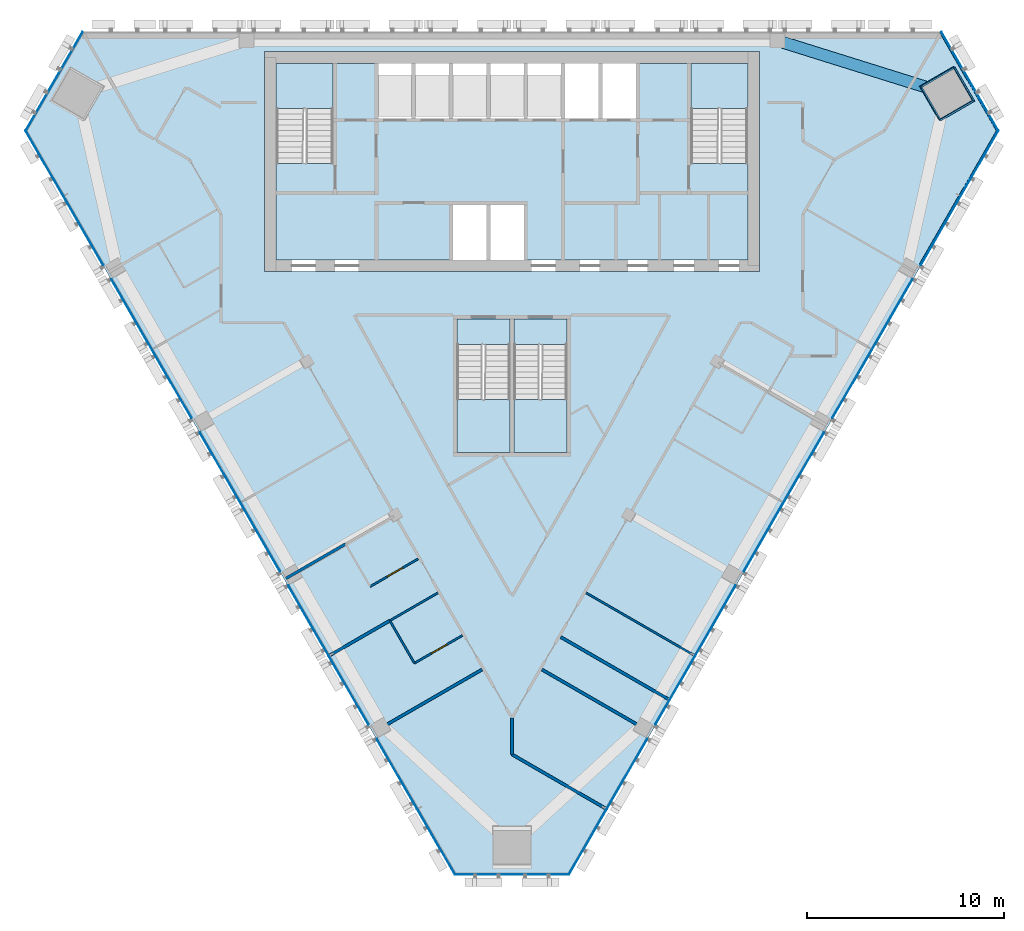
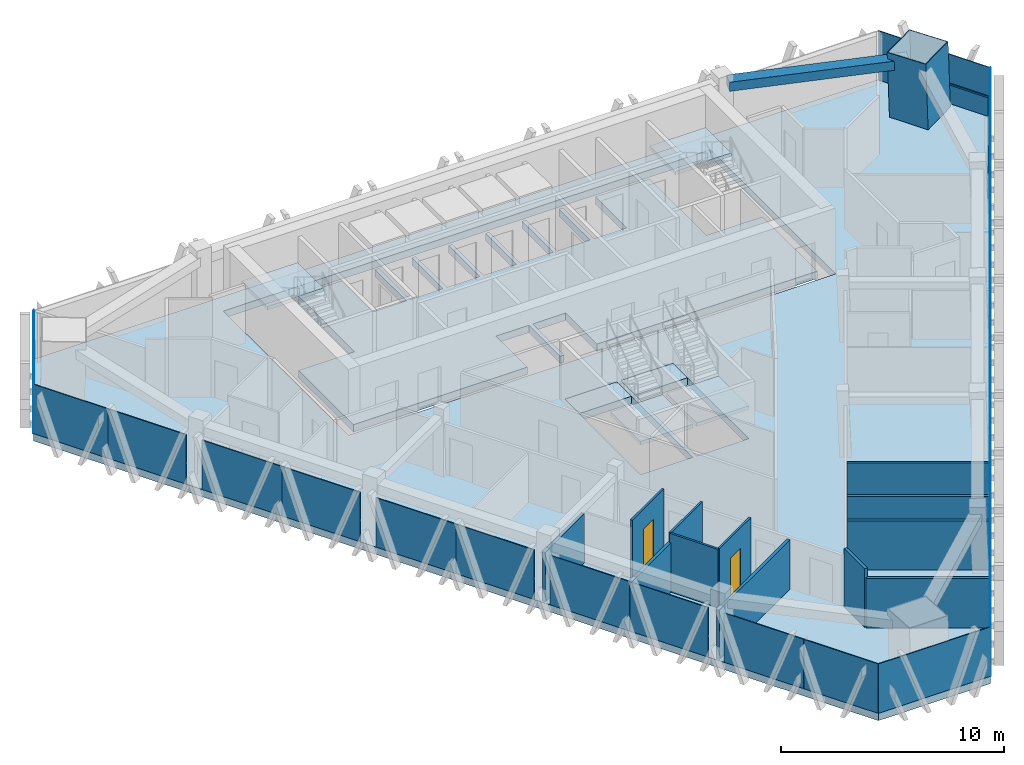
# One storey, part 7 of 14: 23 plates, 12 walls, 8 slabs, 3 members, 2 doors, 1 beam, 2 openings, 9 elements without a shape of their own.
"""IFC4 building model written with IfcOpenShell, lengths in metres."""

from ifc_helpers import new_model, si_unit, direction, frame, frame_2d, origin, origin_2d, place, context, subcontext, project, spatial, polyline, rectangle, hollow_rectangle, outline, extrude, material, layer, layer_set, material_profile, profile_set, type_object, element, fill, aggregate, save


model = new_model("IFC4")

# Units and contexts
model_context = context("Model", 3, precision=1e-05, world=origin(), true_north=direction((0.0, 1.0)))
body_context = subcontext(model_context, "Body", "Model", "MODEL_VIEW")
ifc_project = project(units=[si_unit("LENGTHUNIT", "METRE"), si_unit("AREAUNIT", "SQUARE_METRE"), si_unit("VOLUMEUNIT", "CUBIC_METRE"), si_unit("PLANEANGLEUNIT", "RADIAN"), si_unit("MASSUNIT", "GRAM", prefix="KILO")], contexts=[model_context])

# Site, building, storey
site_placement = place(None, origin())
site = spatial("IfcSite", under=ifc_project, at=site_placement, CompositionType="ELEMENT")
building_placement = place(site_placement, origin())
building = spatial("IfcBuilding", under=site, at=building_placement, Name="Altiplano Prism Tower", CompositionType="ELEMENT")
storey_placement = place(building_placement, frame((0.0, 0.0, 223.0)))
storey = spatial("IfcBuildingStorey", under=building, at=storey_placement, Name="L57", CompositionType="ELEMENT", Elevation=223.0)

# Curtain wall, member
ifc_material_1 = material(Name="Aluminium and glass", Category="aluminium")
ifc_layer_1 = layer(ifc_material_1, 0.280029296875)
ifc_layer_set_1 = layer_set([ifc_layer_1], Name="Aluminium and glass")
curtain_wall_type = type_object("IfcCurtainWallType", Name="CW1 typical co-living unitised curtain wall", PredefinedType="NOTDEFINED", material=ifc_layer_set_1)
curtain_wall_1_placement = place(storey_placement, origin())
curtain_wall_1 = element("IfcCurtainWall", 1, at=curtain_wall_1_placement, inside=storey, type_object=curtain_wall_type, Name="CW1 curtain wall south-east face L57", PredefinedType="NOTDEFINED")
ifc_material_2 = material(Name="Aluminium", Category="aluminium")
ifc_material_profile_1 = material_profile(ifc_material_2, rectangle(XDim=0.06005859375, YDim=0.080078125, at=origin_2d()), Name="CW1 transom 80 x 60")
ifc_profile_set_1 = profile_set([ifc_material_profile_1], Name="Aluminium")
member_type_1 = type_object("IfcMemberType", Name="CW1 transom 80 x 60", PredefinedType="USERDEFINED", material=ifc_profile_set_1)
member_1_placement = place(storey_placement, frame((105.748291015625, 93.1630859375, 1.10009765625), z_axis=(0.499991781437, 0.866030148722, 0.0), x_axis=(-0.866030148722, 0.499991781437, 0.0)))
member_1 = element("IfcMember", 2, at=member_1_placement, type_object=member_type_1, Name="CW1 transom", ObjectType="TRANSOM", PredefinedType="USERDEFINED", context=body_context, shape_type="SweptSolid", body=[
    extrude(rectangle(XDim=0.06005859375, YDim=0.080078125, at=origin_2d()), origin(), (0.0, 0.0, 1.0), 7.899169921875),
])

curtain_wall_2_placement = place(storey_placement, origin())
curtain_wall_2 = element("IfcCurtainWall", 3, at=curtain_wall_2_placement, inside=storey, type_object=curtain_wall_type, Name="CW1 curtain wall north-east chamfer L57", PredefinedType="NOTDEFINED")
member_2_placement = place(storey_placement, frame((109.69775390625, 99.933837890625, 1.10009765625), z_axis=(-0.499998917442, 0.866026028799, 0.0), x_axis=(-0.866026028799, -0.499998917442, 0.0)))
member_2 = element("IfcMember", 4, at=member_2_placement, type_object=member_type_1, Name="CW1 transom", ObjectType="TRANSOM", PredefinedType="USERDEFINED", context=body_context, shape_type="SweptSolid", body=[
    extrude(rectangle(XDim=0.06005859375, YDim=0.080078125, at=origin_2d()), origin(), (0.0, 0.0, 1.0), 5.8095703125),
])

# Beam
ifc_material_3 = material(Name="Concrete C60/75", Category="concrete")
ifc_material_profile_2 = material_profile(ifc_material_3, rectangle(XDim=0.60009765625, YDim=0.5, at=origin_2d()), Name="Edge beam 600x500")
ifc_profile_set_2 = profile_set([ifc_material_profile_2], Name="Concrete C60/75")
beam_type = type_object("IfcBeamType", Name="Edge beam 600x500", PredefinedType="SPANDREL", material=ifc_profile_set_2)
beam_placement = place(storey_placement, frame((106.6484375, 102.002197265625, 2.949951171875), z_axis=(-0.954434236372, 0.298421327055, 0.0), x_axis=(-0.298421327055, -0.954434236372, 0.0)))
element("IfcBeam", 5, at=beam_placement, inside=storey, type_object=beam_type, Name="Edge beam M2-P01 L58", PredefinedType="SPANDREL", context=body_context, shape_type="SweptSolid", body=[
    extrude(rectangle(XDim=0.60009765625, YDim=0.5, at=origin_2d()), origin(), (0.0, 0.0, 1.0), 8.264404296875),
])

# Member
ifc_material_4 = material(Name="Steel S460", Category="steel")
ifc_material_profile_3 = material_profile(ifc_material_4, hollow_rectangle(XDim=2.0, YDim=2.0, WallThickness=0.0400390625, at=origin_2d()), Name="Mega column tube 2000")
ifc_profile_set_3 = profile_set([ifc_material_profile_3], Name="Steel S460")
member_type_2 = type_object("IfcMemberType", Name="Mega column tube 2000", PredefinedType="POST", material=ifc_profile_set_3)
member_3_placement = place(storey_placement, frame((107.18017578125, 101.83447265625, 0.0), z_axis=(-0.028401814599, 0.009218727412, 0.999554076572), x_axis=(0.500752366939, -0.865305621507, 0.022209196139)))
element("IfcMember", 6, at=member_3_placement, inside=storey, type_object=member_type_2, Name="Mega column tube M2 L57", PredefinedType="POST", context=body_context, shape_type="SweptSolid", body=[
    extrude(hollow_rectangle(XDim=2.0, YDim=2.0, WallThickness=0.0400390625, at=origin_2d()), origin(), (0.0, 0.0, 1.0), 3.601806640625),
])

# Curtain wall, plate
curtain_wall_3_placement = place(storey_placement, origin())
curtain_wall_3 = element("IfcCurtainWall", 7, at=curtain_wall_3_placement, inside=storey, type_object=curtain_wall_type, Name="CW1 curtain wall north-west chamfer L57", PredefinedType="NOTDEFINED")
ifc_material_5 = material(Name="Clear glass", Category="glass")
ifc_layer_2 = layer(ifc_material_5, 0.0400390625)
ifc_layer_set_2 = layer_set([ifc_layer_2], Name="Clear glass")
plate_type = type_object("IfcPlateType", Name="CW1 insulated glass unit 40", PredefinedType="CURTAIN_PANEL", material=ifc_layer_set_2)
plate_1_placement = place(storey_placement, frame((61.711181640625, 102.474365234375, 0.0), z_axis=(0.0, 0.0, 1.0), x_axis=(-0.500000067745, -0.866025364672, 0.0)))
plate_1 = element("IfcPlate", 8, at=plate_1_placement, type_object=plate_type, Name="CW1 panel", PredefinedType="CURTAIN_PANEL", context=body_context, shape_type="SweptSolid", body=[
    extrude(rectangle(XDim=5.79931640625, YDim=0.0400390625, at=origin_2d()), origin(), (0.0, 0.0, 1.0), 2.699951171875),
])
aggregate(curtain_wall_3, [plate_1])

# Curtain wall, plates
curtain_wall_4_placement = place(storey_placement, origin())
curtain_wall_4 = element("IfcCurtainWall", 9, at=curtain_wall_4_placement, inside=storey, type_object=curtain_wall_type, Name="CW1 curtain wall south-west face L57", PredefinedType="NOTDEFINED")
plate_2_placement = place(storey_placement, frame((61.222412109375, 98.310302734375, 0.0), z_axis=(0.0, 0.0, 1.0), x_axis=(0.499999991717, -0.866025408567, 0.0)))
plate_2 = element("IfcPlate", 10, at=plate_2_placement, type_object=plate_type, Name="CW1 panel", PredefinedType="CURTAIN_PANEL", context=body_context, shape_type="SweptSolid", body=[
    extrude(rectangle(XDim=3.84375, YDim=0.0400390625, at=origin_2d()), origin(), (0.0, 0.0, 1.0), 2.699951171875),
])
plate_3_placement = place(storey_placement, frame((63.197021484375, 94.889892578125, 0.0), z_axis=(0.0, 0.0, 1.0), x_axis=(0.499999991717, -0.866025408567, 0.0)))
plate_3 = element("IfcPlate", 11, at=plate_3_placement, type_object=plate_type, Name="CW1 panel", PredefinedType="CURTAIN_PANEL", context=body_context, shape_type="SweptSolid", body=[
    extrude(rectangle(XDim=4.035400390625, YDim=0.0400390625, at=origin_2d()), origin(), (0.0, 0.0, 1.0), 2.699951171875),
])
plate_4_placement = place(storey_placement, frame((65.65478515625, 90.63330078125, 0.0), z_axis=(0.0, 0.0, 1.0), x_axis=(0.499999991717, -0.866025408567, 0.0)))
plate_4 = element("IfcPlate", 12, at=plate_4_placement, type_object=plate_type, Name="CW1 panel", PredefinedType="CURTAIN_PANEL", context=body_context, shape_type="SweptSolid", body=[
    extrude(rectangle(XDim=4.114501953125, YDim=0.0400390625, at=origin_2d()), origin(), (0.0, 0.0, 1.0), 2.699951171875),
])
plate_5_placement = place(storey_placement, frame((67.697021484375, 87.095458984375, 0.0), z_axis=(0.0, 0.0, 1.0), x_axis=(0.499999991717, -0.866025408567, 0.0)))
plate_5 = element("IfcPlate", 13, at=plate_5_placement, type_object=plate_type, Name="CW1 panel", PredefinedType="CURTAIN_PANEL", context=body_context, shape_type="SweptSolid", body=[
    extrude(rectangle(XDim=4.035400390625, YDim=0.0400390625, at=origin_2d()), origin(), (0.0, 0.0, 1.0), 2.699951171875),
])
plate_6_placement = place(storey_placement, frame((70.15478515625, 82.839111328125, 0.0), z_axis=(0.0, 0.0, 1.0), x_axis=(0.499999991717, -0.866025408567, 0.0)))
plate_6 = element("IfcPlate", 14, at=plate_6_placement, type_object=plate_type, Name="CW1 panel", PredefinedType="CURTAIN_PANEL", context=body_context, shape_type="SweptSolid", body=[
    extrude(rectangle(XDim=4.114501953125, YDim=0.0400390625, at=origin_2d()), origin(), (0.0, 0.0, 1.0), 2.699951171875),
])
plate_7_placement = place(storey_placement, frame((72.197021484375, 79.30126953125, 0.0), z_axis=(0.0, 0.0, 1.0), x_axis=(0.499999991717, -0.866025408567, 0.0)))
plate_7 = element("IfcPlate", 15, at=plate_7_placement, type_object=plate_type, Name="CW1 panel", PredefinedType="CURTAIN_PANEL", context=body_context, shape_type="SweptSolid", body=[
    extrude(rectangle(XDim=4.035400390625, YDim=0.0400390625, at=origin_2d()), origin(), (0.0, 0.0, 1.0), 2.699951171875),
])
plate_8_placement = place(storey_placement, frame((74.65478515625, 75.044677734375, 0.0), z_axis=(0.0, 0.0, 1.0), x_axis=(0.499999991717, -0.866025408567, 0.0)))
plate_8 = element("IfcPlate", 16, at=plate_8_placement, type_object=plate_type, Name="CW1 panel", PredefinedType="CURTAIN_PANEL", context=body_context, shape_type="SweptSolid", body=[
    extrude(rectangle(XDim=4.114501953125, YDim=0.0400390625, at=origin_2d()), origin(), (0.0, 0.0, 1.0), 2.699951171875),
])
plate_9_placement = place(storey_placement, frame((76.697021484375, 71.507080078125, 0.0), z_axis=(0.0, 0.0, 1.0), x_axis=(0.499999991717, -0.866025408567, 0.0)))
plate_9 = element("IfcPlate", 17, at=plate_9_placement, type_object=plate_type, Name="CW1 panel", PredefinedType="CURTAIN_PANEL", context=body_context, shape_type="SweptSolid", body=[
    extrude(rectangle(XDim=4.035400390625, YDim=0.0400390625, at=origin_2d()), origin(), (0.0, 0.0, 1.0), 2.699951171875),
])
plate_10_placement = place(storey_placement, frame((79.15478515625, 67.25048828125, 0.0), z_axis=(0.0, 0.0, 1.0), x_axis=(0.499999991717, -0.866025408567, 0.0)))
plate_10 = element("IfcPlate", 18, at=plate_10_placement, type_object=plate_type, Name="CW1 panel", PredefinedType="CURTAIN_PANEL", context=body_context, shape_type="SweptSolid", body=[
    extrude(rectangle(XDim=4.114501953125, YDim=0.0400390625, at=origin_2d()), origin(), (0.0, 0.0, 1.0), 2.699951171875),
])
plate_11_placement = place(storey_placement, frame((81.149169921875, 63.7958984375, 0.0), z_axis=(0.0, 0.0, 1.0), x_axis=(0.499999991717, -0.866025408567, 0.0)))
plate_11 = element("IfcPlate", 19, at=plate_11_placement, type_object=plate_type, Name="CW1 panel", PredefinedType="CURTAIN_PANEL", context=body_context, shape_type="SweptSolid", body=[
    extrude(rectangle(XDim=3.84375, YDim=0.0400390625, at=origin_2d()), origin(), (0.0, 0.0, 1.0), 2.699951171875),
])
aggregate(curtain_wall_4, [plate_2, plate_3, plate_4, plate_5, plate_6, plate_7, plate_8, plate_9, plate_10, plate_11])

# Curtain wall, plate
curtain_wall_5_placement = place(storey_placement, origin())
curtain_wall_5 = element("IfcCurtainWall", 20, at=curtain_wall_5_placement, inside=storey, type_object=curtain_wall_type, Name="CW1 curtain wall south chamfer L57", PredefinedType="NOTDEFINED")
plate_12_placement = place(storey_placement, frame((85.0, 62.13720703125, 0.0), z_axis=(0.0, 0.0, 1.0), x_axis=(1.0, 0.0, 0.0)))
plate_12 = element("IfcPlate", 21, at=plate_12_placement, type_object=plate_type, Name="CW1 panel", PredefinedType="CURTAIN_PANEL", context=body_context, shape_type="SweptSolid", body=[
    extrude(rectangle(XDim=5.79931640625, YDim=0.0400390625, at=origin_2d()), origin(), (0.0, 0.0, 1.0), 2.699951171875),
])
aggregate(curtain_wall_5, [plate_12])

# Plate
plate_13_placement = place(storey_placement, frame((88.850830078125, 63.7958984375, 0.0), z_axis=(0.0, 0.0, 1.0), x_axis=(0.499999991717, 0.866025408567, 0.0)))
plate_13 = element("IfcPlate", 22, at=plate_13_placement, type_object=plate_type, Name="CW1 panel", PredefinedType="CURTAIN_PANEL", context=body_context, shape_type="SweptSolid", body=[
    extrude(rectangle(XDim=3.84375, YDim=0.0400390625, at=origin_2d()), origin(), (0.0, 0.0, 1.0), 2.699951171875),
])

plate_14_placement = place(storey_placement, frame((90.84521484375, 67.25048828125, 0.0), z_axis=(0.0, 0.0, 1.0), x_axis=(0.499999991717, 0.866025408567, 0.0)))
plate_14 = element("IfcPlate", 23, at=plate_14_placement, type_object=plate_type, Name="CW1 panel", PredefinedType="CURTAIN_PANEL", context=body_context, shape_type="SweptSolid", body=[
    extrude(rectangle(XDim=4.114501953125, YDim=0.0400390625, at=origin_2d()), origin(), (0.0, 0.0, 1.0), 2.699951171875),
])

plate_15_placement = place(storey_placement, frame((93.302978515625, 71.507080078125, 0.0), z_axis=(0.0, 0.0, 1.0), x_axis=(0.499999991717, 0.866025408567, 0.0)))
plate_15 = element("IfcPlate", 24, at=plate_15_placement, type_object=plate_type, Name="CW1 panel", PredefinedType="CURTAIN_PANEL", context=body_context, shape_type="SweptSolid", body=[
    extrude(rectangle(XDim=4.035400390625, YDim=0.0400390625, at=origin_2d()), origin(), (0.0, 0.0, 1.0), 2.699951171875),
])

plate_16_placement = place(storey_placement, frame((95.34521484375, 75.044677734375, 0.0), z_axis=(0.0, 0.0, 1.0), x_axis=(0.499999991717, 0.866025408567, 0.0)))
plate_16 = element("IfcPlate", 25, at=plate_16_placement, type_object=plate_type, Name="CW1 panel", PredefinedType="CURTAIN_PANEL", context=body_context, shape_type="SweptSolid", body=[
    extrude(rectangle(XDim=4.114501953125, YDim=0.0400390625, at=origin_2d()), origin(), (0.0, 0.0, 1.0), 2.699951171875),
])

plate_17_placement = place(storey_placement, frame((97.802978515625, 79.30126953125, 0.0), z_axis=(0.0, 0.0, 1.0), x_axis=(0.499999991717, 0.866025408567, 0.0)))
plate_17 = element("IfcPlate", 26, at=plate_17_placement, type_object=plate_type, Name="CW1 panel", PredefinedType="CURTAIN_PANEL", context=body_context, shape_type="SweptSolid", body=[
    extrude(rectangle(XDim=4.035400390625, YDim=0.0400390625, at=origin_2d()), origin(), (0.0, 0.0, 1.0), 2.699951171875),
])

plate_18_placement = place(storey_placement, frame((99.84521484375, 82.839111328125, 0.0), z_axis=(0.0, 0.0, 1.0), x_axis=(0.499999991717, 0.866025408567, 0.0)))
plate_18 = element("IfcPlate", 27, at=plate_18_placement, type_object=plate_type, Name="CW1 panel", PredefinedType="CURTAIN_PANEL", context=body_context, shape_type="SweptSolid", body=[
    extrude(rectangle(XDim=4.114501953125, YDim=0.0400390625, at=origin_2d()), origin(), (0.0, 0.0, 1.0), 2.699951171875),
])

plate_19_placement = place(storey_placement, frame((102.302978515625, 87.095458984375, 0.0), z_axis=(0.0, 0.0, 1.0), x_axis=(0.499999991717, 0.866025408567, 0.0)))
plate_19 = element("IfcPlate", 28, at=plate_19_placement, type_object=plate_type, Name="CW1 panel", PredefinedType="CURTAIN_PANEL", context=body_context, shape_type="SweptSolid", body=[
    extrude(rectangle(XDim=4.035400390625, YDim=0.0400390625, at=origin_2d()), origin(), (0.0, 0.0, 1.0), 2.699951171875),
])

plate_20_placement = place(storey_placement, frame((104.34521484375, 90.63330078125, 0.0), z_axis=(0.0, 0.0, 1.0), x_axis=(0.499999991717, 0.866025408567, 0.0)))
plate_20 = element("IfcPlate", 29, at=plate_20_placement, type_object=plate_type, Name="CW1 panel", PredefinedType="CURTAIN_PANEL", context=body_context, shape_type="SweptSolid", body=[
    extrude(rectangle(XDim=4.114501953125, YDim=0.0400390625, at=origin_2d()), origin(), (0.0, 0.0, 1.0), 2.699951171875),
])

plate_21_placement = place(storey_placement, frame((106.802978515625, 94.889892578125, 0.0), z_axis=(0.0, 0.0, 1.0), x_axis=(0.499999991717, 0.866025408567, 0.0)))
plate_21 = element("IfcPlate", 30, at=plate_21_placement, type_object=plate_type, Name="CW1 panel", PredefinedType="CURTAIN_PANEL", context=body_context, shape_type="SweptSolid", body=[
    extrude(rectangle(XDim=4.035400390625, YDim=0.0400390625, at=origin_2d()), origin(), (0.0, 0.0, 1.0), 2.699951171875),
])

plate_22_placement = place(storey_placement, frame((108.777587890625, 98.310302734375, 0.0), z_axis=(0.0, 0.0, 1.0), x_axis=(0.499999991717, 0.866025408567, 0.0)))
plate_22 = element("IfcPlate", 31, at=plate_22_placement, type_object=plate_type, Name="CW1 panel", PredefinedType="CURTAIN_PANEL", context=body_context, shape_type="SweptSolid", body=[
    extrude(rectangle(XDim=3.84375, YDim=0.0400390625, at=origin_2d()), origin(), (0.0, 0.0, 1.0), 2.699951171875),
])

aggregate(curtain_wall_1, [plate_13, plate_14, plate_15, plate_16, plate_17, plate_18, plate_19, plate_20, member_1, plate_21, plate_22])

plate_23_placement = place(storey_placement, frame((108.288818359375, 102.474365234375, 0.0), z_axis=(0.0, 0.0, 1.0), x_axis=(-0.500000067745, 0.866025364672, 0.0)))
plate_23 = element("IfcPlate", 32, at=plate_23_placement, type_object=plate_type, Name="CW1 panel", PredefinedType="CURTAIN_PANEL", context=body_context, shape_type="SweptSolid", body=[
    extrude(rectangle(XDim=5.79931640625, YDim=0.0400390625, at=origin_2d()), origin(), (0.0, 0.0, 1.0), 2.699951171875),
])

aggregate(curtain_wall_2, [member_2, plate_23])

# Slabs
ifc_material_6 = material(Name="Concrete C40/50", Category="concrete")
ifc_layer_3 = layer(ifc_material_6, 0.39990234375)
ifc_layer_set_3 = layer_set([ifc_layer_3], Name="Concrete C40/50")
slab_type_1 = type_object("IfcSlabType", Name="Core floor slab 400", PredefinedType="FLOOR", material=ifc_layer_set_3)
slab_1_placement = place(storey_placement, frame((0.0, 0.0, -0.39990234375)))
element("IfcSlab", 33, at=slab_1_placement, inside=storey, type_object=slab_type_1, Name="Core floor slab L57", PredefinedType="FLOOR", context=body_context, shape_type="SweptSolid", body=[
    extrude(outline(polyline([(97.0, 98.31005859375), (94.10009765625, 98.31005859375), (94.10009765625, 103.39990234375), (91.300048828125, 103.39990234375), (91.300048828125, 100.60009765625), (89.60009765625, 100.60009765625), (89.60009765625, 103.39990234375), (89.39990234375, 103.39990234375), (89.39990234375, 100.60009765625), (87.699951171875, 100.60009765625), (87.699951171875, 103.39990234375), (87.5, 103.39990234375), (87.5, 100.60009765625), (85.800048828125, 100.60009765625), (85.800048828125, 103.39990234375), (85.60009765625, 103.39990234375), (85.60009765625, 100.60009765625), (83.89990234375, 100.60009765625), (83.89990234375, 103.39990234375), (83.699951171875, 103.39990234375), (83.699951171875, 100.60009765625), (82.0, 100.60009765625), (82.0, 103.39990234375), (81.800048828125, 103.39990234375), (81.800048828125, 100.60009765625), (80.10009765625, 100.60009765625), (80.10009765625, 103.39990234375), (79.89990234375, 103.39990234375), (79.89990234375, 100.60009765625), (78.199951171875, 100.60009765625), (78.199951171875, 103.39990234375), (75.89990234375, 103.39990234375), (75.89990234375, 98.31005859375), (73.0, 98.31005859375), (73.0, 93.39990234375), (82.0, 93.39990234375), (82.0, 96.199951171875), (83.699951171875, 96.199951171875), (83.699951171875, 93.39990234375), (83.89990234375, 93.39990234375), (83.89990234375, 96.199951171875), (85.60009765625, 96.199951171875), (85.60009765625, 93.39990234375), (97.0, 93.39990234375), (97.0, 98.31005859375)])), origin(), (0.0, 0.0, 1.0), 0.39990234375),
])
slab_2_placement = place(storey_placement, frame((0.0, 0.0, -0.39990234375)))
element("IfcSlab", 34, at=slab_2_placement, inside=storey, type_object=slab_type_1, Name="Stair 3A landing slab L57", PredefinedType="FLOOR", context=body_context, shape_type="SweptSolid", body=[
    extrude(outline(polyline([(82.199951171875, 89.096923828125), (84.89990234375, 89.096923828125), (84.89990234375, 90.39990234375), (82.199951171875, 90.39990234375), (82.199951171875, 89.096923828125)])), origin(), (0.0, 0.0, 1.0), 0.39990234375),
])
slab_3_placement = place(storey_placement, frame((0.0, 0.0, -0.39990234375)))
element("IfcSlab", 35, at=slab_3_placement, inside=storey, type_object=slab_type_1, Name="Stair 3B landing slab L57", PredefinedType="FLOOR", context=body_context, shape_type="SweptSolid", body=[
    extrude(outline(polyline([(85.10009765625, 89.096923828125), (87.800048828125, 89.096923828125), (87.800048828125, 90.39990234375), (85.10009765625, 90.39990234375), (85.10009765625, 89.096923828125)])), origin(), (0.0, 0.0, 1.0), 0.39990234375),
])
ifc_layer_4 = layer(ifc_material_6, 0.39990234375)
ifc_layer_set_4 = layer_set([ifc_layer_4], Name="Concrete C40/50")
slab_type_2 = type_object("IfcSlabType", Name="Post-tensioned flat slab 400", PredefinedType="FLOOR", material=ifc_layer_set_4)
slab_4_placement = place(storey_placement, frame((0.0, 0.0, -0.39990234375)))
element("IfcSlab", 36, at=slab_4_placement, inside=storey, type_object=slab_type_2, Name="Floor slab L57", PredefinedType="FLOOR", context=body_context, shape_type="SweptSolid", body=[
    extrude(outline(polyline([(82.09521484375, 62.1171875), (60.24169921875, 99.968994140625), (63.146240234375, 105.0), (106.853759765625, 105.0), (109.75830078125, 99.968994140625), (87.90478515625, 62.1171875), (82.09521484375, 62.1171875)]), holes=[polyline([(72.39990234375, 104.0), (72.39990234375, 92.800048828125), (97.60009765625, 92.800048828125), (97.60009765625, 104.0), (72.39990234375, 104.0)]), polyline([(84.89990234375, 90.39990234375), (82.199951171875, 90.39990234375), (82.199951171875, 83.60009765625), (84.89990234375, 83.60009765625), (84.89990234375, 90.39990234375)]), polyline([(87.800048828125, 83.60009765625), (87.800048828125, 90.39990234375), (85.10009765625, 90.39990234375), (85.10009765625, 83.60009765625), (87.800048828125, 83.60009765625)])]), origin(), (0.0, 0.0, 1.0), 0.39990234375),
])

# Stair, slab
stair_type_1 = type_object("IfcStairType", Name="Exit stair 1400", PredefinedType="HALF_TURN_STAIR", material=ifc_material_6)
stair_1_placement = place(storey_placement, origin())
stair_1 = element("IfcStair", 37, at=stair_1_placement, inside=storey, type_object=stair_type_1, Name="L57 Exit Stair 1", PredefinedType="HALF_TURN_STAIR")
ifc_layer_5 = layer(ifc_material_6, 0.199951171875)
ifc_layer_set_5 = layer_set([ifc_layer_5], Name="Concrete C40/50")
slab_type_3 = type_object("IfcSlabType", Name="Stair landing 200", PredefinedType="LANDING", material=ifc_layer_set_5)
slab_5_placement = place(storey_placement, frame((0.0, 0.0, 1.60009765625)))
slab_5 = element("IfcSlab", 38, at=slab_5_placement, type_object=slab_type_3, Name="ST1 landing 1", PredefinedType="LANDING", context=body_context, shape_type="SweptSolid", body=[
    extrude(outline(polyline([(75.89990234375, 101.096923828125), (75.89990234375, 103.39990234375), (73.0, 103.39990234375), (73.0, 101.096923828125), (75.89990234375, 101.096923828125)])), origin(), (0.0, 0.0, 1.0), 0.199951171875),
])
aggregate(stair_1, [slab_5])

stair_2_placement = place(storey_placement, origin())
stair_2 = element("IfcStair", 39, at=stair_2_placement, inside=storey, type_object=stair_type_1, Name="L57 Exit Stair 2", PredefinedType="HALF_TURN_STAIR")
slab_6_placement = place(storey_placement, frame((0.0, 0.0, 1.60009765625)))
slab_6 = element("IfcSlab", 40, at=slab_6_placement, type_object=slab_type_3, Name="ST2 landing 1", PredefinedType="LANDING", context=body_context, shape_type="SweptSolid", body=[
    extrude(outline(polyline([(97.0, 101.096923828125), (97.0, 103.39990234375), (94.10009765625, 103.39990234375), (94.10009765625, 101.096923828125), (97.0, 101.096923828125)])), origin(), (0.0, 0.0, 1.0), 0.199951171875),
])
aggregate(stair_2, [slab_6])

stair_type_2 = type_object("IfcStairType", Name="Exit stair 1300", PredefinedType="HALF_TURN_STAIR", material=ifc_material_6)
stair_3_placement = place(storey_placement, origin())
stair_3 = element("IfcStair", 41, at=stair_3_placement, inside=storey, type_object=stair_type_2, Name="L57 Exit Stair 3A", PredefinedType="HALF_TURN_STAIR")
slab_7_placement = place(storey_placement, frame((0.0, 0.0, 1.60009765625)))
slab_7 = element("IfcSlab", 42, at=slab_7_placement, type_object=slab_type_3, Name="ST3A landing 1", PredefinedType="LANDING", context=body_context, shape_type="SweptSolid", body=[
    extrude(outline(polyline([(82.199951171875, 86.302978515625), (82.199951171875, 83.60009765625), (84.89990234375, 83.60009765625), (84.89990234375, 86.302978515625), (82.199951171875, 86.302978515625)])), origin(), (0.0, 0.0, 1.0), 0.199951171875),
])
aggregate(stair_3, [slab_7])

stair_4_placement = place(storey_placement, origin())
stair_4 = element("IfcStair", 43, at=stair_4_placement, inside=storey, type_object=stair_type_2, Name="L57 Exit Stair 3B", PredefinedType="HALF_TURN_STAIR")
slab_8_placement = place(storey_placement, frame((0.0, 0.0, 1.60009765625)))
slab_8 = element("IfcSlab", 44, at=slab_8_placement, type_object=slab_type_3, Name="ST3B landing 1", PredefinedType="LANDING", context=body_context, shape_type="SweptSolid", body=[
    extrude(outline(polyline([(85.10009765625, 86.302978515625), (85.10009765625, 83.60009765625), (87.800048828125, 83.60009765625), (87.800048828125, 86.302978515625), (85.10009765625, 86.302978515625)])), origin(), (0.0, 0.0, 1.0), 0.199951171875),
])
aggregate(stair_4, [slab_8])

# Wall, opening, door
ifc_material_7 = material(Name="Plasterboard on steel stud", Category="steel")
ifc_layer_6 = layer(ifc_material_7, 0.10009765625)
ifc_layer_set_6 = layer_set([ifc_layer_6], Name="Plasterboard on steel stud")
wall_type_1 = type_object("IfcWallType", Name="Partition 100 unit", PredefinedType="PARTITIONING", material=ifc_layer_set_6)
wall_1_placement = place(storey_placement, frame((80.232666015625, 78.193359375, 0.0), z_axis=(0.0, 0.0, 1.0), x_axis=(-0.866048868473, -0.499959355765, 0.0)))
wall_1 = element("IfcWall", 45, at=wall_1_placement, inside=storey, type_object=wall_type_1, Name="Partition P02 L57 041", PredefinedType="PARTITIONING", context=body_context, shape_type="SweptSolid", body=[
    extrude(rectangle(XDim=2.824951171875, YDim=0.10009765625, at=frame_2d((1.41259765625, 0.0))), origin(), (0.0, 0.0, 1.0), 3.199951171875),
])
opening_1_placement = place(wall_1_placement, frame((0.925048828125, 0.0, 0.0)))
opening_1 = element("IfcOpeningElement", 46, at=opening_1_placement, cuts=wall_1, Name="Opening D1907", PredefinedType="OPENING", context=body_context, shape_type="SweptSolid", body=[
    extrude(rectangle(XDim=0.89990234375, YDim=2.10009765625, at=frame_2d((0.449951171875, 1.050048828125))), frame((0.0, 0.060546875, 0.0), z_axis=(0.0, -1.0, 0.0), x_axis=(1.0, 0.0, 0.0)), (0.0, 0.0, 1.0), 0.12109375),
])
ifc_material_8 = material(Name="Timber", Category="wood")
door_type = type_object("IfcDoorType", Name="Ensuite door 900 x 2100", OperationType="NOTDEFINED", PredefinedType="NOTDEFINED", material=ifc_material_8)
door_1_placement = place(opening_1_placement, origin())
door_1 = element("IfcDoor", 47, at=door_1_placement, inside=storey, type_object=door_type, Name="Door D1907", OperationType="SINGLE_SWING_LEFT", OverallHeight=2.10009765625, OverallWidth=0.89990234375, PredefinedType="NOTDEFINED", context=body_context, shape_type="SweptSolid", body=[
    extrude(rectangle(XDim=0.89990234375, YDim=2.10009765625, at=frame_2d((0.449951171875, 1.050048828125))), frame((0.0, 0.02490234375, 0.0), z_axis=(0.0, -1.0, 0.0), x_axis=(1.0, 0.0, 0.0)), (0.0, 0.0, 1.0), 0.050048828125),
])
fill(opening_1, door_1)

wall_2_placement = place(storey_placement, frame((82.482666015625, 74.29638671875, 0.0), z_axis=(0.0, 0.0, 1.0), x_axis=(-0.866011447264, -0.500024172624, 0.0)))
wall_2 = element("IfcWall", 48, at=wall_2_placement, inside=storey, type_object=wall_type_1, Name="Partition P02 L57 045", PredefinedType="PARTITIONING", context=body_context, shape_type="SweptSolid", body=[
    extrude(rectangle(XDim=2.824951171875, YDim=0.10009765625, at=frame_2d((1.41259765625, 0.0))), origin(), (0.0, 0.0, 1.0), 3.199951171875),
])
opening_2_placement = place(wall_2_placement, frame((0.925048828125, 0.0, 0.0)))
opening_2 = element("IfcOpeningElement", 49, at=opening_2_placement, cuts=wall_2, Name="Opening D1909", PredefinedType="OPENING", context=body_context, shape_type="SweptSolid", body=[
    extrude(rectangle(XDim=0.89990234375, YDim=2.10009765625, at=frame_2d((0.449951171875, 1.050048828125))), frame((0.0, 0.060546875, 0.0), z_axis=(0.0, -1.0, 0.0), x_axis=(1.0, 0.0, 0.0)), (0.0, 0.0, 1.0), 0.12109375),
])
door_2_placement = place(opening_2_placement, origin())
door_2 = element("IfcDoor", 50, at=door_2_placement, inside=storey, type_object=door_type, Name="Door D1909", OperationType="SINGLE_SWING_LEFT", OverallHeight=2.10009765625, OverallWidth=0.89990234375, PredefinedType="NOTDEFINED", context=body_context, shape_type="SweptSolid", body=[
    extrude(rectangle(XDim=0.89990234375, YDim=2.10009765625, at=frame_2d((0.449951171875, 1.050048828125))), frame((0.0, 0.02490234375, 0.0), z_axis=(0.0, -1.0, 0.0), x_axis=(1.0, 0.0, 0.0)), (0.0, 0.0, 1.0), 0.050048828125),
])
fill(opening_2, door_2)

# Walls
wall_3_placement = place(storey_placement, frame((80.0361328125, 72.8837890625, 0.0), z_axis=(0.0, 0.0, 1.0), x_axis=(-0.500004234368, 0.866022959057, 0.0)))
element("IfcWall", 51, at=wall_3_placement, inside=storey, type_object=wall_type_1, Name="Partition P02 L57 046", PredefinedType="PARTITIONING", context=body_context, shape_type="SweptSolid", body=[
    extrude(rectangle(XDim=2.5, YDim=0.10009765625, at=frame_2d((1.25, 0.0))), origin(), (0.0, 0.0, 1.0), 3.199951171875),
])
ifc_layer_7 = layer(ifc_material_7, 0.10009765625)
ifc_layer_set_7 = layer_set([ifc_layer_7], Name="Plasterboard on steel stud")
wall_type_2 = type_object("IfcWallType", Name="Partition 100 wet", PredefinedType="PARTITIONING", material=ifc_layer_set_7)
wall_4_placement = place(storey_placement, frame((78.7861328125, 75.048828125, 0.0), z_axis=(0.0, 0.0, 1.0), x_axis=(0.866011447264, 0.500024172624, 0.0)))
element("IfcWall", 52, at=wall_4_placement, inside=storey, type_object=wall_type_2, Name="Partition P03 L57 044", PredefinedType="PARTITIONING", context=body_context, shape_type="SweptSolid", body=[
    extrude(rectangle(XDim=2.824951171875, YDim=0.10009765625, at=frame_2d((1.41259765625, 0.0))), origin(), (0.0, 0.0, 1.0), 3.199951171875),
])
wall_5_placement = place(storey_placement, frame((94.262451171875, 73.288818359375, 0.0), z_axis=(0.0, 0.0, 1.0), x_axis=(-0.866025401434, 0.500000004071, 0.0)))
element("IfcWall", 53, at=wall_5_placement, inside=storey, type_object=wall_type_2, Name="Partition P03 L57 052", PredefinedType="PARTITIONING", context=body_context, shape_type="SweptSolid", body=[
    extrude(rectangle(XDim=6.34521484375, YDim=0.10009765625, at=frame_2d((3.172607421875, 0.0))), origin(), (0.0, 0.0, 1.0), 2.699951171875),
])
ifc_layer_8 = layer(ifc_material_7, 0.14990234375)
ifc_layer_set_8 = layer_set([ifc_layer_8], Name="Plasterboard on steel stud")
wall_type_3 = type_object("IfcWallType", Name="Partition 150 party", PredefinedType="PARTITIONING", material=ifc_layer_set_8)
wall_6_placement = place(storey_placement, frame((73.505126953125, 77.196044921875, 0.0), z_axis=(0.0, 0.0, 1.0), x_axis=(0.866019471182, 0.500010275428, 0.0)))
element("IfcWall", 54, at=wall_6_placement, inside=storey, type_object=wall_type_3, Name="Partition P01 L57 039", PredefinedType="PARTITIONING", context=body_context, shape_type="SweptSolid", body=[
    extrude(rectangle(XDim=3.5, YDim=0.14990234375, at=frame_2d((1.75, 0.0))), origin(), (0.0, 0.0, 1.0), 2.699951171875),
])
wall_7_placement = place(storey_placement, frame((75.737548828125, 73.288818359375, 0.0), z_axis=(0.0, 0.0, 1.0), x_axis=(0.866036599697, 0.499980607609, 0.0)))
element("IfcWall", 55, at=wall_7_placement, inside=storey, type_object=wall_type_3, Name="Partition P01 L57 043", PredefinedType="PARTITIONING", context=body_context, shape_type="SweptSolid", body=[
    extrude(rectangle(XDim=3.520263671875, YDim=0.14990234375, at=frame_2d((1.76025390625, 0.0))), origin(), (0.0, 0.0, 1.0), 2.699951171875),
])
wall_8_placement = place(storey_placement, frame((78.005126953125, 69.401611328125, 0.0), z_axis=(0.0, 0.0, 1.0), x_axis=(0.866015887322, 0.500016482634, 0.0)))
element("IfcWall", 56, at=wall_8_placement, inside=storey, type_object=wall_type_3, Name="Partition P01 L57 047", PredefinedType="PARTITIONING", context=body_context, shape_type="SweptSolid", body=[
    extrude(rectangle(XDim=6.324951171875, YDim=0.14990234375, at=frame_2d((3.16259765625, 0.0))), origin(), (0.0, 0.0, 1.0), 2.699951171875),
])
wall_9_placement = place(storey_placement, frame((89.762451171875, 65.494384765625, 0.0), z_axis=(0.0, 0.0, 1.0), x_axis=(-0.866013325365, 0.500020919853, 0.0)))
element("IfcWall", 57, at=wall_9_placement, inside=storey, type_object=wall_type_3, Name="Partition P01 L57 048", PredefinedType="PARTITIONING", context=body_context, shape_type="SweptSolid", body=[
    extrude(rectangle(XDim=5.499267578125, YDim=0.14990234375, at=frame_2d((2.74951171875, 0.0))), origin(), (0.0, 0.0, 1.0), 2.699951171875),
])
wall_10_placement = place(storey_placement, frame((85.0, 68.244140625, 0.0), z_axis=(0.0, 0.0, 1.0), x_axis=(0.0, 1.0, 0.0)))
element("IfcWall", 58, at=wall_10_placement, inside=storey, type_object=wall_type_3, Name="Partition P01 L57 049", PredefinedType="PARTITIONING", context=body_context, shape_type="SweptSolid", body=[
    extrude(rectangle(XDim=1.842041015625, YDim=0.14990234375, at=frame_2d((0.9208984375, 0.0))), origin(), (0.0, 0.0, 1.0), 3.199951171875),
])
wall_11_placement = place(storey_placement, frame((91.994873046875, 69.401611328125, 0.0), z_axis=(0.0, 0.0, 1.0), x_axis=(-0.866015887322, 0.500016482634, 0.0)))
element("IfcWall", 59, at=wall_11_placement, inside=storey, type_object=wall_type_3, Name="Partition P01 L57 050", PredefinedType="PARTITIONING", context=body_context, shape_type="SweptSolid", body=[
    extrude(rectangle(XDim=6.324951171875, YDim=0.14990234375, at=frame_2d((3.16259765625, 0.0))), origin(), (0.0, 0.0, 1.0), 2.699951171875),
])
wall_12_placement = place(storey_placement, frame((92.967041015625, 71.045654296875, 0.0), z_axis=(0.0, 0.0, 1.0), x_axis=(-0.866032443377, 0.499987806871, 0.0)))
element("IfcWall", 60, at=wall_12_placement, inside=storey, type_object=wall_type_3, Name="Partition P01 L57 051", PredefinedType="PARTITIONING", context=body_context, shape_type="SweptSolid", body=[
    extrude(rectangle(XDim=6.344970703125, YDim=0.14990234375, at=frame_2d((3.17236328125, 0.0))), origin(), (0.0, 0.0, 1.0), 2.699951171875),
])

save(model, "model.ifc")
